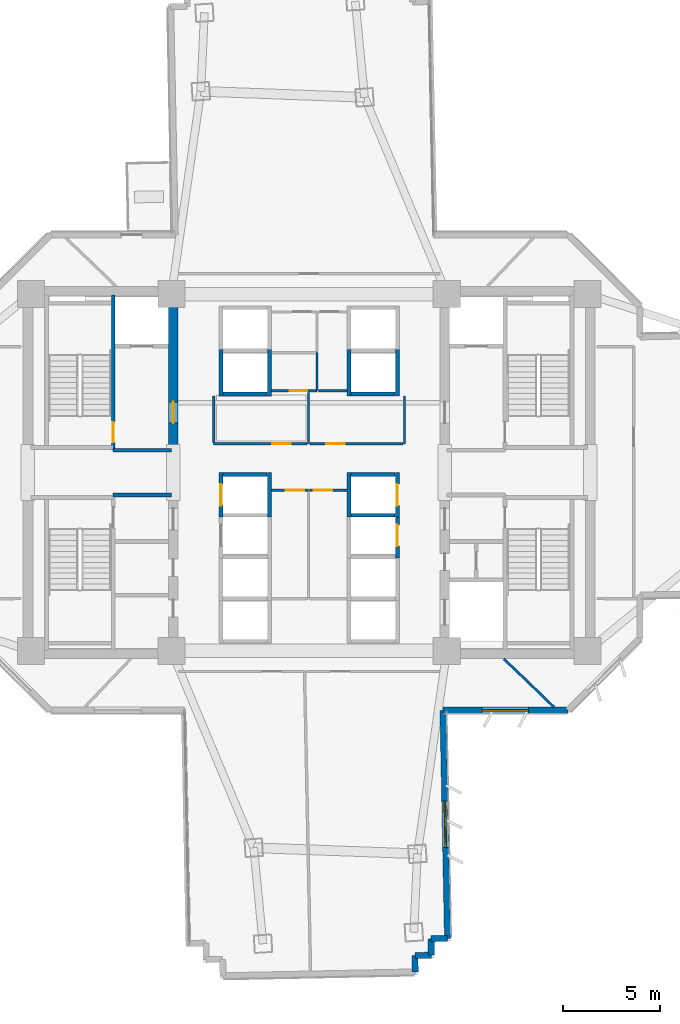
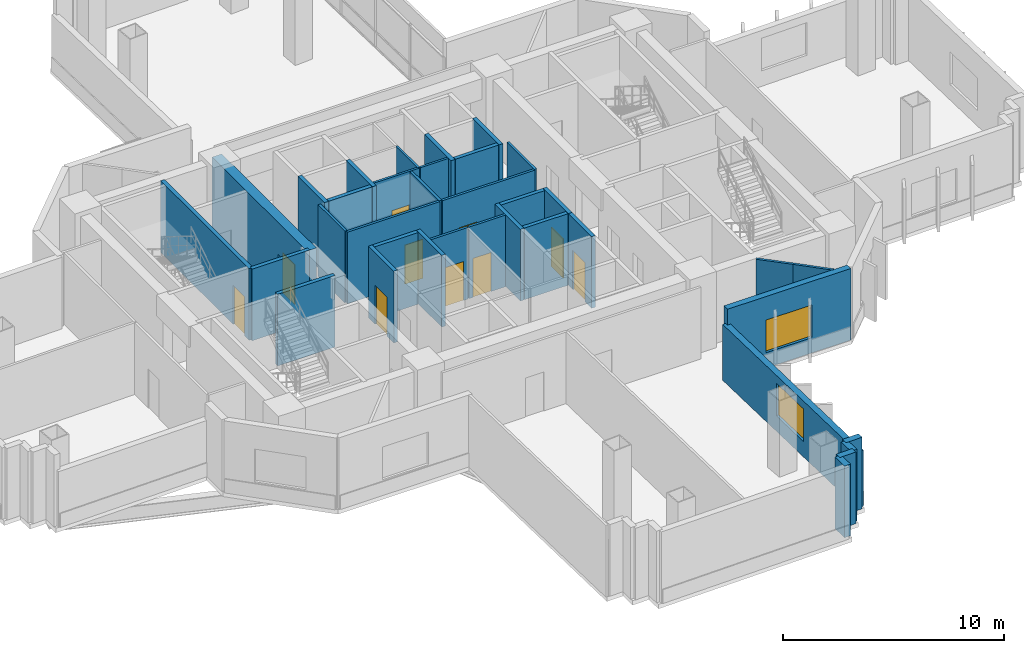
# One storey, part 7 of 15: 36 walls, 10 doors, 2 windows, 12 openings.
"""IFC4 building model written with IfcOpenShell, lengths in metres."""

from ifc_helpers import new_model, si_unit, direction, frame, frame_2d, origin, place, context, subcontext, project, spatial, rectangle, extrude, source, transform, mapped, material, layer, layer_set, type_object, element, fill, save


model = new_model("IFC4")

# Units and contexts
model_context = context("Model", 3, precision=1e-05, world=origin(), true_north=direction((0.0, 1.0)))
body_context = subcontext(model_context, "Body", "Model", "MODEL_VIEW")
ifc_project = project(units=[si_unit("LENGTHUNIT", "METRE"), si_unit("AREAUNIT", "SQUARE_METRE"), si_unit("VOLUMEUNIT", "CUBIC_METRE"), si_unit("PLANEANGLEUNIT", "RADIAN"), si_unit("MASSUNIT", "GRAM", prefix="KILO")], contexts=[model_context])

# Site, building, storey
site_placement = place(None, origin())
site = spatial("IfcSite", under=ifc_project, at=site_placement, CompositionType="ELEMENT")
building_placement = place(site_placement, origin())
building = spatial("IfcBuilding", under=site, at=building_placement, Name="Zahravan Cultural Tower", CompositionType="ELEMENT")
storey_placement = place(building_placement, frame((0.0, 0.0, 41.699951171875)))
storey = spatial("IfcBuildingStorey", under=building, at=storey_placement, Name="L08", CompositionType="ELEMENT", Elevation=41.699951171875)

# Wall, opening, door
ifc_material_1 = material(Name="Concrete C60/75", Category="concrete")
ifc_layer_1 = layer(ifc_material_1, 0.5)
ifc_layer_set_1 = layer_set([ifc_layer_1], Name="Concrete C60/75")
wall_type_1 = type_object("IfcWallType", Name="CW-SHEAR-500-C60", PredefinedType="SHEAR", material=ifc_layer_set_1)
wall_1_placement = place(storey_placement, frame((29.0, 28.050048828125, 0.0), z_axis=(0.0, 0.0, 1.0), x_axis=(0.0, 1.0, 0.0)))
wall_1 = element("IfcWall", 1, at=wall_1_placement, inside=storey, type_object=wall_type_1, Name="L08 Core Shear Wall CW-W-EN-L08", PredefinedType="SHEAR", context=body_context, shape_type="SweptSolid", body=[
    extrude(rectangle(XDim=8.550048828125, YDim=0.5, at=frame_2d((4.27490234375, 0.0))), origin(), (0.0, 0.0, 1.0), 3.949951171875),
])
opening_1_placement = place(wall_1_placement, frame((1.5, 0.0, 0.0)))
opening_1 = element("IfcOpeningElement", 2, at=opening_1_placement, cuts=wall_1, Name="Opening D-L08-05", PredefinedType="OPENING", context=body_context, shape_type="SweptSolid", body=[
    extrude(rectangle(XDim=1.10009765625, YDim=2.199951171875, at=frame_2d((0.550048828125, 1.10009765625))), frame((0.0, 0.260009765625, 0.0), z_axis=(0.0, -1.0, 0.0), x_axis=(1.0, 0.0, 0.0)), (0.0, 0.0, 1.0), 0.52001953125),
])
ifc_material_2 = material(Name="Steel ASTM A572 Grade 50", Category="steel")
door_type_1 = type_object("IfcDoorType", Name="DR-LOBBY-1100", OperationType="NOTDEFINED", PredefinedType="DOOR", material=ifc_material_2)
shared_shape_1 = source(origin(), body_context, "Body", "SweptSolid", [
    extrude(rectangle(XDim=1.10009765625, YDim=2.199951171875, at=frame_2d((0.550048828125, 1.10009765625))), frame((0.0, 0.02490234375, 0.0), z_axis=(0.0, -1.0, 0.0), x_axis=(1.0, 0.0, 0.0)), (0.0, 0.0, 1.0), 0.050048828125),
])
door_1_placement = place(opening_1_placement, origin())
door_1 = element("IfcDoor", 3, at=door_1_placement, inside=storey, type_object=door_type_1, Name="L08 Door D-L08-05", OperationType="SINGLE_SWING_RIGHT", OverallHeight=2.199951171875, OverallWidth=1.10009765625, PredefinedType="DOOR", context=body_context, shape_type="MappedRepresentation", body=[
    mapped(shared_shape_1, transform((0.0, 0.0, 0.0), x_axis=(1.0, 0.0, 0.0), y_axis=(0.0, 1.0, 0.0), z_axis=(0.0, 0.0, 1.0), scale=1.0)),
])
fill(opening_1, door_1)

# Wall, opening, window
ifc_material_3 = material(Name="Precast concrete C40/50", Category="concrete")
ifc_layer_2 = layer(ifc_material_3, 0.320068359375)
ifc_layer_set_2 = layer_set([ifc_layer_2], Name="Precast concrete C40/50")
wall_type_2 = type_object("IfcWallType", Name="EW-TC-320", PredefinedType="SOLIDWALL", material=ifc_layer_set_2)
wall_2_placement = place(storey_placement, frame((49.342041015625, 14.739990234375, 0.0), z_axis=(0.0, 0.0, 1.0), x_axis=(-1.0, 0.0, 0.0)))
wall_2 = element("IfcWall", 4, at=wall_2_placement, inside=storey, type_object=wall_type_2, Name="L08 Exterior Masonry Frame Wall 14", PredefinedType="SOLIDWALL", context=body_context, shape_type="SweptSolid", body=[
    extrude(rectangle(XDim=6.436767578125, YDim=0.320068359375, at=frame_2d((3.21826171875, 0.0))), origin(), (0.0, 0.0, 1.0), 3.949951171875),
])
opening_2_placement = place(wall_2_placement, frame((2.01806640625, 0.0, 0.85009765625)))
opening_2 = element("IfcOpeningElement", 5, at=opening_2_placement, cuts=wall_2, Name="Opening WN-01", PredefinedType="OPENING", context=body_context, shape_type="SweptSolid", body=[
    extrude(rectangle(XDim=2.39990234375, YDim=1.800048828125, at=frame_2d((1.199951171875, 0.89990234375))), frame((0.0, 0.169921875, 0.0), z_axis=(0.0, -1.0, 0.0), x_axis=(1.0, 0.0, 0.0)), (0.0, 0.0, 1.0), 0.340087890625),
])
ifc_material_4 = material(Name="Low-E solar-control double glazing", Category="glass")
window_type = type_object("IfcWindowType", Name="WN-REC-2400X1800", PartitioningType="DOUBLE_PANEL_VERTICAL", PredefinedType="WINDOW", material=ifc_material_4)
shared_shape_2 = source(origin(), body_context, "Body", "SweptSolid", [
    extrude(rectangle(XDim=2.39990234375, YDim=1.800048828125, at=frame_2d((1.199951171875, 0.89990234375))), frame((0.0, 0.030029296875, 0.0), z_axis=(0.0, -1.0, 0.0), x_axis=(1.0, 0.0, 0.0)), (0.0, 0.0, 1.0), 0.06005859375),
])
window_1_placement = place(opening_2_placement, origin())
window_1 = element("IfcWindow", 6, at=window_1_placement, inside=storey, type_object=window_type, Name="L08 Recessed Solar Window 05", OverallHeight=1.800048828125, OverallWidth=2.39990234375, PartitioningType="DOUBLE_PANEL_VERTICAL", PredefinedType="WINDOW", context=body_context, shape_type="MappedRepresentation", body=[
    mapped(shared_shape_2, transform((0.0, 0.0, 0.0), x_axis=(1.0, 0.0, 0.0), y_axis=(0.0, 1.0, 0.0), z_axis=(0.0, 0.0, 1.0), scale=1.0)),
])
fill(opening_2, window_1)

wall_3_placement = place(storey_placement, frame((42.9052734375, 14.739990234375, 0.0), z_axis=(0.0, 0.0, 1.0), x_axis=(0.019900582882, -0.999801963791, 0.0)))
wall_3 = element("IfcWall", 7, at=wall_3_placement, inside=storey, type_object=wall_type_2, Name="L08 Exterior Masonry Frame Wall 15", PredefinedType="SOLIDWALL", context=body_context, shape_type="SweptSolid", body=[
    extrude(rectangle(XDim=11.76513671875, YDim=0.320068359375, at=frame_2d((5.882568359375, 0.0))), origin(), (0.0, 0.0, 1.0), 3.080078125),
])
opening_3_placement = place(wall_3_placement, frame((4.68310546875, 0.0, 0.85009765625)))
opening_3 = element("IfcOpeningElement", 8, at=opening_3_placement, cuts=wall_3, Name="Opening WN-01", PredefinedType="OPENING", context=body_context, shape_type="SweptSolid", body=[
    extrude(rectangle(XDim=2.39990234375, YDim=1.800048828125, at=frame_2d((1.199951171875, 0.89990234375))), frame((0.0, 0.169921875, 0.0), z_axis=(0.0, -1.0, 0.0), x_axis=(1.0, 0.0, 0.0)), (0.0, 0.0, 1.0), 0.340087890625),
])
window_2_placement = place(opening_3_placement, origin())
window_2 = element("IfcWindow", 9, at=window_2_placement, inside=storey, type_object=window_type, Name="L08 Recessed Solar Window 06", OverallHeight=1.800048828125, OverallWidth=2.39990234375, PartitioningType="DOUBLE_PANEL_VERTICAL", PredefinedType="WINDOW", context=body_context, shape_type="MappedRepresentation", body=[
    mapped(shared_shape_2, transform((0.0, 0.0, 0.0), x_axis=(1.0, 0.0, 0.0), y_axis=(0.0, 1.0, 0.0), z_axis=(0.0, 0.0, 1.0), scale=1.0)),
])
fill(opening_3, window_2)

# Wall, opening, door
ifc_material_5 = material(Name="Gypsum plasterboard partition")
ifc_layer_3 = layer(ifc_material_5, 0.125)
ifc_layer_set_3 = layer_set([ifc_layer_3], Name="Gypsum plasterboard partition")
wall_type_3 = type_object("IfcWallType", Name="W-PART-125", PredefinedType="PARTITIONING", material=ifc_layer_set_3)
wall_4_placement = place(storey_placement, frame((34.054931640625, 26.080078125, 0.0), z_axis=(0.0, 0.0, 1.0), x_axis=(1.0, 0.0, 0.0)))
wall_4 = element("IfcWall", 10, at=wall_4_placement, inside=storey, type_object=wall_type_3, Name="L08 Interior Wall 075", PredefinedType="PARTITIONING", context=body_context, shape_type="SweptSolid", body=[
    extrude(rectangle(XDim=1.9150390625, YDim=0.125, at=frame_2d((0.95751953125, 0.0))), origin(), (0.0, 0.0, 1.0), 3.949951171875),
])
opening_4_placement = place(wall_4_placement, frame((0.752685546875, 0.0, 0.0)))
opening_4 = element("IfcOpeningElement", 11, at=opening_4_placement, cuts=wall_4, Name="Opening D-L08-15", PredefinedType="OPENING", context=body_context, shape_type="SweptSolid", body=[
    extrude(rectangle(XDim=0.949951171875, YDim=2.14990234375, at=frame_2d((0.47509765625, 1.074951171875))), frame((0.0, 0.072509765625, 0.0), z_axis=(0.0, -1.0, 0.0), x_axis=(1.0, 0.0, 0.0)), (0.0, 0.0, 1.0), 0.14501953125),
])
ifc_material_6 = material(Name="Anodised bronze-aluminium mullion", Category="aluminium")
door_type_2 = type_object("IfcDoorType", Name="DR-ROOM-950", OperationType="NOTDEFINED", PredefinedType="DOOR", material=ifc_material_6)
shared_shape_3 = source(origin(), body_context, "Body", "SweptSolid", [
    extrude(rectangle(XDim=0.949951171875, YDim=2.14990234375, at=frame_2d((0.47509765625, 1.074951171875))), frame((0.0, 0.02490234375, 0.0), z_axis=(0.0, -1.0, 0.0), x_axis=(1.0, 0.0, 0.0)), (0.0, 0.0, 1.0), 0.050048828125),
])
door_2_placement = place(opening_4_placement, origin())
door_2 = element("IfcDoor", 12, at=door_2_placement, inside=storey, type_object=door_type_2, Name="L08 Door D-L08-15", OperationType="SINGLE_SWING_RIGHT", OverallHeight=2.14990234375, OverallWidth=0.949951171875, PredefinedType="DOOR", context=body_context, shape_type="MappedRepresentation", body=[
    mapped(shared_shape_3, transform((0.0, 0.0, 0.0), x_axis=(1.0, 0.0, 0.0), y_axis=(0.0, 1.0, 0.0), z_axis=(0.0, 0.0, 1.0), scale=1.0)),
])
fill(opening_4, door_2)

wall_5_placement = place(storey_placement, frame((36.030029296875, 26.080078125, 0.0), z_axis=(0.0, 0.0, 1.0), x_axis=(1.0, 0.0, 0.0)))
wall_5 = element("IfcWall", 13, at=wall_5_placement, inside=storey, type_object=wall_type_3, Name="L08 Interior Wall 078", PredefinedType="PARTITIONING", context=body_context, shape_type="SweptSolid", body=[
    extrude(rectangle(XDim=1.9150390625, YDim=0.125, at=frame_2d((0.95751953125, 0.0))), origin(), (0.0, 0.0, 1.0), 3.949951171875),
])
opening_5_placement = place(wall_5_placement, frame((0.21240234375, 0.0, 0.0)))
opening_5 = element("IfcOpeningElement", 14, at=opening_5_placement, cuts=wall_5, Name="Opening D-L08-16", PredefinedType="OPENING", context=body_context, shape_type="SweptSolid", body=[
    extrude(rectangle(XDim=0.949951171875, YDim=2.14990234375, at=frame_2d((0.47509765625, 1.074951171875))), frame((0.0, 0.072509765625, 0.0), z_axis=(0.0, -1.0, 0.0), x_axis=(1.0, 0.0, 0.0)), (0.0, 0.0, 1.0), 0.14501953125),
])
door_3_placement = place(opening_5_placement, origin())
door_3 = element("IfcDoor", 15, at=door_3_placement, inside=storey, type_object=door_type_2, Name="L08 Door D-L08-16", OperationType="SINGLE_SWING_LEFT", OverallHeight=2.14990234375, OverallWidth=0.949951171875, PredefinedType="DOOR", context=body_context, shape_type="MappedRepresentation", body=[
    mapped(shared_shape_3, transform((0.0, 0.0, 0.0), x_axis=(1.0, 0.0, 0.0), y_axis=(0.0, 1.0, 0.0), z_axis=(0.0, 0.0, 1.0), scale=1.0)),
])
fill(opening_5, door_3)

wall_6_placement = place(storey_placement, frame((35.902587890625, 28.47998046875, 0.0), z_axis=(0.0, 0.0, 1.0), x_axis=(-1.0, 0.0, 0.0)))
wall_6 = element("IfcWall", 16, at=wall_6_placement, inside=storey, type_object=wall_type_3, Name="L08 Interior Wall 081", PredefinedType="PARTITIONING", context=body_context, shape_type="SweptSolid", body=[
    extrude(rectangle(XDim=4.822509765625, YDim=0.125, at=frame_2d((2.4111328125, 0.0))), origin(), (0.0, 0.0, 1.0), 3.949951171875),
])
opening_6_placement = place(wall_6_placement, frame((0.85205078125, 0.0, 0.0)))
opening_6 = element("IfcOpeningElement", 17, at=opening_6_placement, cuts=wall_6, Name="Opening D-L08-17", PredefinedType="OPENING", context=body_context, shape_type="SweptSolid", body=[
    extrude(rectangle(XDim=0.949951171875, YDim=2.14990234375, at=frame_2d((0.47509765625, 1.074951171875))), frame((0.0, 0.072509765625, 0.0), z_axis=(0.0, -1.0, 0.0), x_axis=(1.0, 0.0, 0.0)), (0.0, 0.0, 1.0), 0.14501953125),
])
door_4_placement = place(opening_6_placement, origin())
door_4 = element("IfcDoor", 18, at=door_4_placement, inside=storey, type_object=door_type_2, Name="L08 Door D-L08-17", OperationType="SINGLE_SWING_RIGHT", OverallHeight=2.14990234375, OverallWidth=0.949951171875, PredefinedType="DOOR", context=body_context, shape_type="MappedRepresentation", body=[
    mapped(shared_shape_3, transform((0.0, 0.0, 0.0), x_axis=(1.0, 0.0, 0.0), y_axis=(0.0, 1.0, 0.0), z_axis=(0.0, 0.0, 1.0), scale=1.0)),
])
fill(opening_6, door_4)

wall_7_placement = place(storey_placement, frame((40.8525390625, 28.47998046875, 0.0), z_axis=(0.0, 0.0, 1.0), x_axis=(-1.0, 0.0, 0.0)))
wall_7 = element("IfcWall", 19, at=wall_7_placement, inside=storey, type_object=wall_type_3, Name="L08 Interior Wall 084", PredefinedType="PARTITIONING", context=body_context, shape_type="SweptSolid", body=[
    extrude(rectangle(XDim=4.81494140625, YDim=0.125, at=frame_2d((2.407470703125, 0.0))), origin(), (0.0, 0.0, 1.0), 3.949951171875),
])
opening_7_placement = place(wall_7_placement, frame((3.0146484375, 0.0, 0.0)))
opening_7 = element("IfcOpeningElement", 20, at=opening_7_placement, cuts=wall_7, Name="Opening D-L08-18", PredefinedType="OPENING", context=body_context, shape_type="SweptSolid", body=[
    extrude(rectangle(XDim=0.949951171875, YDim=2.14990234375, at=frame_2d((0.47509765625, 1.074951171875))), frame((0.0, 0.072509765625, 0.0), z_axis=(0.0, -1.0, 0.0), x_axis=(1.0, 0.0, 0.0)), (0.0, 0.0, 1.0), 0.14501953125),
])
door_5_placement = place(opening_7_placement, origin())
door_5 = element("IfcDoor", 21, at=door_5_placement, inside=storey, type_object=door_type_2, Name="L08 Door D-L08-18", OperationType="SINGLE_SWING_LEFT", OverallHeight=2.14990234375, OverallWidth=0.949951171875, PredefinedType="DOOR", context=body_context, shape_type="MappedRepresentation", body=[
    mapped(shared_shape_3, transform((0.0, 0.0, 0.0), x_axis=(1.0, 0.0, 0.0), y_axis=(0.0, 1.0, 0.0), z_axis=(0.0, 0.0, 1.0), scale=1.0)),
])
fill(opening_7, door_5)

ifc_material_7 = material(Name="Concrete C45/55", Category="concrete")
ifc_layer_4 = layer(ifc_material_7, 0.199951171875)
ifc_layer_set_4 = layer_set([ifc_layer_4], Name="Concrete C45/55")
wall_type_4 = type_object("IfcWallType", Name="W-SHAFT-200", PredefinedType="SOLIDWALL", material=ifc_layer_set_4)
wall_8_placement = place(storey_placement, frame((25.89990234375, 28.14990234375, 0.0), z_axis=(0.0, 0.0, 1.0), x_axis=(0.0, 1.0, 0.0)))
wall_8 = element("IfcWall", 22, at=wall_8_placement, inside=storey, type_object=wall_type_4, Name="L08 Interior Wall 006", PredefinedType="SOLIDWALL", context=body_context, shape_type="SweptSolid", body=[
    extrude(rectangle(XDim=8.0, YDim=0.199951171875, at=frame_2d((4.0, 0.0))), origin(), (0.0, 0.0, 1.0), 3.949951171875),
])
opening_8_placement = place(wall_8_placement, frame((0.39990234375, 0.0, 0.0)))
opening_8 = element("IfcOpeningElement", 23, at=opening_8_placement, cuts=wall_8, Name="Opening D-L08-01", PredefinedType="OPENING", context=body_context, shape_type="SweptSolid", body=[
    extrude(rectangle(XDim=1.050048828125, YDim=2.14990234375, at=frame_2d((0.52490234375, 1.074951171875))), frame((0.0, 0.10986328125, 0.0), z_axis=(0.0, -1.0, 0.0), x_axis=(1.0, 0.0, 0.0)), (0.0, 0.0, 1.0), 0.219970703125),
])
door_type_3 = type_object("IfcDoorType", Name="DR-STAIR-1050", OperationType="NOTDEFINED", PredefinedType="DOOR", material=ifc_material_2)
shared_shape_4 = source(origin(), body_context, "Body", "SweptSolid", [
    extrude(rectangle(XDim=1.050048828125, YDim=2.14990234375, at=frame_2d((0.52490234375, 1.074951171875))), frame((0.0, 0.02490234375, 0.0), z_axis=(0.0, -1.0, 0.0), x_axis=(1.0, 0.0, 0.0)), (0.0, 0.0, 1.0), 0.050048828125),
])
door_6_placement = place(opening_8_placement, origin())
door_6 = element("IfcDoor", 24, at=door_6_placement, inside=storey, type_object=door_type_3, Name="L08 Door D-L08-01", OperationType="SINGLE_SWING_RIGHT", OverallHeight=2.14990234375, OverallWidth=1.050048828125, PredefinedType="DOOR", context=body_context, shape_type="MappedRepresentation", body=[
    mapped(shared_shape_4, transform((0.0, 0.0, 0.0), x_axis=(1.0, 0.0, 0.0), y_axis=(0.0, 1.0, 0.0), z_axis=(0.0, 0.0, 1.0), scale=1.0)),
])
fill(opening_8, door_6)

wall_9_placement = place(storey_placement, frame((31.449951171875, 24.699951171875, 0.0), z_axis=(0.0, 0.0, 1.0), x_axis=(0.0, 1.0, 0.0)))
wall_9 = element("IfcWall", 25, at=wall_9_placement, inside=storey, type_object=wall_type_4, Name="L08 Interior Wall 056", PredefinedType="SOLIDWALL", context=body_context, shape_type="SweptSolid", body=[
    extrude(rectangle(XDim=2.300048828125, YDim=0.199951171875, at=frame_2d((1.14990234375, 0.0))), origin(), (0.0, 0.0, 1.0), 3.949951171875),
])
opening_9_placement = place(wall_9_placement, frame((0.60009765625, 0.0, 0.0)))
opening_9 = element("IfcOpeningElement", 26, at=opening_9_placement, cuts=wall_9, Name="Opening LD-L08-04", PredefinedType="OPENING", context=body_context, shape_type="SweptSolid", body=[
    extrude(rectangle(XDim=1.10009765625, YDim=2.14990234375, at=frame_2d((0.550048828125, 1.074951171875))), frame((0.0, 0.10986328125, 0.0), z_axis=(0.0, -1.0, 0.0), x_axis=(1.0, 0.0, 0.0)), (0.0, 0.0, 1.0), 0.219970703125),
])
door_type_4 = type_object("IfcDoorType", Name="DR-LIFT-1100", OperationType="DOUBLE_DOOR_SLIDING", PredefinedType="DOOR", material=ifc_material_2)
shared_shape_5 = source(origin(), body_context, "Body", "SweptSolid", [
    extrude(rectangle(XDim=1.10009765625, YDim=2.14990234375, at=frame_2d((0.550048828125, 1.074951171875))), frame((0.0, 0.02490234375, 0.0), z_axis=(0.0, -1.0, 0.0), x_axis=(1.0, 0.0, 0.0)), (0.0, 0.0, 1.0), 0.050048828125),
])
door_7_placement = place(opening_9_placement, origin())
door_7 = element("IfcDoor", 27, at=door_7_placement, inside=storey, type_object=door_type_4, Name="L08 Door LD-L08-04", OperationType="DOUBLE_DOOR_SLIDING", OverallHeight=2.14990234375, OverallWidth=1.10009765625, PredefinedType="DOOR", context=body_context, shape_type="MappedRepresentation", body=[
    mapped(shared_shape_5, transform((0.0, 0.0, 0.0), x_axis=(1.0, 0.0, 0.0), y_axis=(0.0, 1.0, 0.0), z_axis=(0.0, 0.0, 1.0), scale=1.0)),
])
fill(opening_9, door_7)

wall_10_placement = place(storey_placement, frame((40.550048828125, 24.699951171875, 0.0), z_axis=(0.0, 0.0, 1.0), x_axis=(0.0, 1.0, 0.0)))
wall_10 = element("IfcWall", 28, at=wall_10_placement, inside=storey, type_object=wall_type_4, Name="L08 Interior Wall 063", PredefinedType="SOLIDWALL", context=body_context, shape_type="SweptSolid", body=[
    extrude(rectangle(XDim=2.300048828125, YDim=0.199951171875, at=frame_2d((1.14990234375, 0.0))), origin(), (0.0, 0.0, 1.0), 3.949951171875),
])
opening_10_placement = place(wall_10_placement, frame((0.60009765625, 0.0, 0.0)))
opening_10 = element("IfcOpeningElement", 29, at=opening_10_placement, cuts=wall_10, Name="Opening LD-L08-06", PredefinedType="OPENING", context=body_context, shape_type="SweptSolid", body=[
    extrude(rectangle(XDim=1.10009765625, YDim=2.14990234375, at=frame_2d((0.550048828125, 1.074951171875))), frame((0.0, 0.10986328125, 0.0), z_axis=(0.0, -1.0, 0.0), x_axis=(1.0, 0.0, 0.0)), (0.0, 0.0, 1.0), 0.219970703125),
])
door_8_placement = place(opening_10_placement, origin())
door_8 = element("IfcDoor", 30, at=door_8_placement, inside=storey, type_object=door_type_4, Name="L08 Door LD-L08-06", OperationType="DOUBLE_DOOR_SLIDING", OverallHeight=2.14990234375, OverallWidth=1.10009765625, PredefinedType="DOOR", context=body_context, shape_type="MappedRepresentation", body=[
    mapped(shared_shape_5, transform((0.0, 0.0, 0.0), x_axis=(1.0, 0.0, 0.0), y_axis=(0.0, 1.0, 0.0), z_axis=(0.0, 0.0, 1.0), scale=1.0)),
])
fill(opening_10, door_8)

wall_11_placement = place(storey_placement, frame((40.550048828125, 22.60009765625, 0.0), z_axis=(0.0, 0.0, 1.0), x_axis=(0.0, 1.0, 0.0)))
wall_11 = element("IfcWall", 31, at=wall_11_placement, inside=storey, type_object=wall_type_4, Name="L08 Interior Wall 067", PredefinedType="SOLIDWALL", context=body_context, shape_type="SweptSolid", body=[
    extrude(rectangle(XDim=2.2998046875, YDim=0.199951171875, at=frame_2d((1.14990234375, 0.0))), origin(), (0.0, 0.0, 1.0), 3.949951171875),
])
opening_11_placement = place(wall_11_placement, frame((0.60009765625, 0.0, 0.0)))
opening_11 = element("IfcOpeningElement", 32, at=opening_11_placement, cuts=wall_11, Name="Opening LD-L08-07", PredefinedType="OPENING", context=body_context, shape_type="SweptSolid", body=[
    extrude(rectangle(XDim=1.10009765625, YDim=2.14990234375, at=frame_2d((0.550048828125, 1.074951171875))), frame((0.0, 0.10986328125, 0.0), z_axis=(0.0, -1.0, 0.0), x_axis=(1.0, 0.0, 0.0)), (0.0, 0.0, 1.0), 0.219970703125),
])
door_9_placement = place(opening_11_placement, origin())
door_9 = element("IfcDoor", 33, at=door_9_placement, inside=storey, type_object=door_type_4, Name="L08 Door LD-L08-07", OperationType="DOUBLE_DOOR_SLIDING", OverallHeight=2.14990234375, OverallWidth=1.10009765625, PredefinedType="DOOR", context=body_context, shape_type="MappedRepresentation", body=[
    mapped(shared_shape_5, transform((0.0, 0.0, 0.0), x_axis=(1.0, 0.0, 0.0), y_axis=(0.0, 1.0, 0.0), z_axis=(0.0, 0.0, 1.0), scale=1.0)),
])
fill(opening_11, door_9)

ifc_layer_5 = layer(ifc_material_5, 0.114990234375)
ifc_layer_set_5 = layer_set([ifc_layer_5], Name="Gypsum plasterboard partition")
wall_type_5 = type_object("IfcWallType", Name="W-WC-115", PredefinedType="PARTITIONING", material=ifc_layer_set_5)
wall_12_placement = place(storey_placement, frame((36.409912109375, 31.219970703125, 0.0), z_axis=(0.0, 0.0, 1.0), x_axis=(-1.0, 0.0, 0.0)))
wall_12 = element("IfcWall", 34, at=wall_12_placement, inside=storey, type_object=wall_type_5, Name="L08 Interior Wall 068", PredefinedType="PARTITIONING", context=body_context, shape_type="SweptSolid", body=[
    extrude(rectangle(XDim=2.35498046875, YDim=0.114990234375, at=frame_2d((1.177490234375, 0.0))), origin(), (0.0, 0.0, 1.0), 3.949951171875),
])
opening_12_placement = place(wall_12_placement, frame((0.5166015625, 0.0, 0.0)))
opening_12 = element("IfcOpeningElement", 35, at=opening_12_placement, cuts=wall_12, Name="Opening D-L08-25", PredefinedType="OPENING", context=body_context, shape_type="SweptSolid", body=[
    extrude(rectangle(XDim=0.89990234375, YDim=2.10009765625, at=frame_2d((0.449951171875, 1.050048828125))), frame((0.0, 0.0673828125, 0.0), z_axis=(0.0, -1.0, 0.0), x_axis=(1.0, 0.0, 0.0)), (0.0, 0.0, 1.0), 0.135009765625),
])
door_type_5 = type_object("IfcDoorType", Name="DR-WC-900", OperationType="NOTDEFINED", PredefinedType="DOOR", material=ifc_material_6)
shared_shape_6 = source(origin(), body_context, "Body", "SweptSolid", [
    extrude(rectangle(XDim=0.89990234375, YDim=2.10009765625, at=frame_2d((0.449951171875, 1.050048828125))), frame((0.0, 0.02490234375, 0.0), z_axis=(0.0, -1.0, 0.0), x_axis=(1.0, 0.0, 0.0)), (0.0, 0.0, 1.0), 0.050048828125),
])
door_10_placement = place(opening_12_placement, origin())
door_10 = element("IfcDoor", 36, at=door_10_placement, inside=storey, type_object=door_type_5, Name="L08 Door D-L08-25", OperationType="SINGLE_SWING_RIGHT", OverallHeight=2.10009765625, OverallWidth=0.89990234375, PredefinedType="DOOR", context=body_context, shape_type="MappedRepresentation", body=[
    mapped(shared_shape_6, transform((0.0, 0.0, 0.0), x_axis=(1.0, 0.0, 0.0), y_axis=(0.0, 1.0, 0.0), z_axis=(0.0, 0.0, 1.0), scale=1.0)),
])
fill(opening_12, door_10)

# Walls
shared_shape_7 = source(origin(), body_context, "Body", "SweptSolid", [
    extrude(rectangle(XDim=0.849853515625, YDim=0.320068359375, at=frame_2d((0.4248046875, 0.0))), origin(), (0.0, 0.0, 1.0), 3.949951171875),
])
wall_13_placement = place(storey_placement, frame((41.45654296875, 2.093505859375, 0.0), z_axis=(0.0, 0.0, 1.0), x_axis=(0.019823689915, -0.999803491351, 0.0)))
element("IfcWall", 37, at=wall_13_placement, inside=storey, type_object=wall_type_2, Name="L08 Exterior Masonry Frame Wall 19", PredefinedType="SOLIDWALL", context=body_context, shape_type="MappedRepresentation", body=[
    mapped(shared_shape_7, transform((0.0, 0.0, 0.0), x_axis=(1.0, 0.0, 0.0), y_axis=(0.0, 1.0, 0.0), z_axis=(0.0, 0.0, 1.0), scale=1.0)),
])
shared_shape_8 = source(origin(), body_context, "Body", "SweptSolid", [
    extrude(rectangle(XDim=0.85009765625, YDim=0.320068359375, at=frame_2d((0.425048828125, 0.0))), origin(), (0.0, 0.0, 1.0), 3.949951171875),
])
for number, where, z_axis, x_axis, name in (
    (38, (43.139404296875, 2.977294921875, 0.0), (0.0, 0.0, 1.0), (-0.999803604205, -0.019817997326, 0.0), "L08 Exterior Masonry Frame Wall 16"),
    (39, (42.28955078125, 2.96044921875, 0.0), (0.0, 0.0, 1.0), (0.019817997326, -0.999803604205, 0.0), "L08 Exterior Masonry Frame Wall 17"),
    (40, (42.306396484375, 2.110595703125, 0.0), (0.0, 0.0, 1.0), (-0.999797872061, -0.020105099409, 0.0), "L08 Exterior Masonry Frame Wall 18"),
):
    element("IfcWall", number, at=place(storey_placement, frame(where, z_axis=z_axis, x_axis=x_axis)), inside=storey, type_object=wall_type_2, Name=name, PredefinedType="SOLIDWALL", context=body_context, shape_type="MappedRepresentation", body=[
        mapped(shared_shape_8, transform((0.0, 0.0, 0.0), x_axis=(1.0, 0.0, 0.0), y_axis=(0.0, 1.0, 0.0), z_axis=(0.0, 0.0, 1.0), scale=1.0)),
    ])
shared_shape_9 = source(origin(), body_context, "Body", "SweptSolid", [
    extrude(rectangle(XDim=3.0, YDim=0.199951171875, at=frame_2d((1.5, 0.0))), origin(), (0.0, 0.0, 1.0), 3.949951171875),
])
for number, where, z_axis, x_axis, name in (
    (41, (25.89990234375, 25.85009765625, 0.0), (0.0, 0.0, 1.0), (1.0, 0.0, 0.0), "L08 Interior Wall 010"),
    (42, (25.89990234375, 28.14990234375, 0.0), (0.0, 0.0, 1.0), (1.0, 0.0, 0.0), "L08 Interior Wall 012"),
):
    element("IfcWall", number, at=place(storey_placement, frame(where, z_axis=z_axis, x_axis=x_axis)), inside=storey, type_object=wall_type_4, Name=name, PredefinedType="SOLIDWALL", context=body_context, shape_type="MappedRepresentation", body=[
        mapped(shared_shape_9, transform((0.0, 0.0, 0.0), x_axis=(1.0, 0.0, 0.0), y_axis=(0.0, 1.0, 0.0), z_axis=(0.0, 0.0, 1.0), scale=1.0)),
    ])
shared_shape_10 = source(origin(), body_context, "Body", "SweptSolid", [
    extrude(rectangle(XDim=2.400146484375, YDim=0.199951171875, at=frame_2d((1.2001953125, 0.0))), origin(), (0.0, 0.0, 1.0), 3.949951171875),
])
for number, where, z_axis, x_axis, name in (
    (43, (31.449951171875, 30.949951171875, 0.0), (0.0, 0.0, 1.0), (0.0, 1.0, 0.0), "L08 Interior Wall 032"),
    (44, (33.949951171875, 30.949951171875, 0.0), (0.0, 0.0, 1.0), (0.0, 1.0, 0.0), "L08 Interior Wall 033"),
    (45, (38.050048828125, 30.949951171875, 0.0), (0.0, 0.0, 1.0), (0.0, 1.0, 0.0), "L08 Interior Wall 039"),
    (46, (40.550048828125, 30.949951171875, 0.0), (0.0, 0.0, 1.0), (0.0, 1.0, 0.0), "L08 Interior Wall 040"),
):
    element("IfcWall", number, at=place(storey_placement, frame(where, z_axis=z_axis, x_axis=x_axis)), inside=storey, type_object=wall_type_4, Name=name, PredefinedType="SOLIDWALL", context=body_context, shape_type="MappedRepresentation", body=[
        mapped(shared_shape_10, transform((0.0, 0.0, 0.0), x_axis=(1.0, 0.0, 0.0), y_axis=(0.0, 1.0, 0.0), z_axis=(0.0, 0.0, 1.0), scale=1.0)),
    ])
shared_shape_11 = source(origin(), body_context, "Body", "SweptSolid", [
    extrude(rectangle(XDim=2.260009765625, YDim=0.199951171875, at=frame_2d((1.1298828125, 0.0))), origin(), (0.0, 0.0, 1.0), 3.949951171875),
])
for number, where, z_axis, x_axis, name in (
    (47, (31.570068359375, 31.050048828125, 0.0), (0.0, 0.0, 1.0), (1.0, 0.0, 0.0), "L08 Interior Wall 034"),
    (48, (38.169921875, 31.050048828125, 0.0), (0.0, 0.0, 1.0), (1.0, 0.0, 0.0), "L08 Interior Wall 041"),
    (49, (31.570068359375, 26.89990234375, 0.0), (0.0, 0.0, 1.0), (1.0, 0.0, 0.0), "L08 Interior Wall 059"),
    (50, (38.169921875, 24.800048828125, 0.0), (0.0, 0.0, 1.0), (1.0, 0.0, 0.0), "L08 Interior Wall 064"),
    (51, (38.169921875, 26.89990234375, 0.0), (0.0, 0.0, 1.0), (1.0, 0.0, 0.0), "L08 Interior Wall 065"),
):
    element("IfcWall", number, at=place(storey_placement, frame(where, z_axis=z_axis, x_axis=x_axis)), inside=storey, type_object=wall_type_4, Name=name, PredefinedType="SOLIDWALL", context=body_context, shape_type="MappedRepresentation", body=[
        mapped(shared_shape_11, transform((0.0, 0.0, 0.0), x_axis=(1.0, 0.0, 0.0), y_axis=(0.0, 1.0, 0.0), z_axis=(0.0, 0.0, 1.0), scale=1.0)),
    ])
shared_shape_12 = source(origin(), body_context, "Body", "SweptSolid", [
    extrude(rectangle(XDim=2.300048828125, YDim=0.199951171875, at=frame_2d((1.14990234375, 0.0))), origin(), (0.0, 0.0, 1.0), 3.949951171875),
])
for number, where, z_axis, x_axis, name in (
    (52, (33.949951171875, 24.699951171875, 0.0), (0.0, 0.0, 1.0), (0.0, 1.0, 0.0), "L08 Interior Wall 057"),
    (53, (38.050048828125, 24.699951171875, 0.0), (0.0, 0.0, 1.0), (0.0, 1.0, 0.0), "L08 Interior Wall 062"),
):
    element("IfcWall", number, at=place(storey_placement, frame(where, z_axis=z_axis, x_axis=x_axis)), inside=storey, type_object=wall_type_4, Name=name, PredefinedType="SOLIDWALL", context=body_context, shape_type="MappedRepresentation", body=[
        mapped(shared_shape_12, transform((0.0, 0.0, 0.0), x_axis=(1.0, 0.0, 0.0), y_axis=(0.0, 1.0, 0.0), z_axis=(0.0, 0.0, 1.0), scale=1.0)),
    ])
shared_shape_13 = source(origin(), body_context, "Body", "SweptSolid", [
    extrude(rectangle(XDim=1.9599609375, YDim=0.114990234375, at=frame_2d((0.97998046875, 0.0))), origin(), (0.0, 0.0, 1.0), 3.949951171875),
])
wall_14_placement = place(storey_placement, frame((36.409912109375, 33.179931640625, 0.0), z_axis=(0.0, 0.0, 1.0), x_axis=(0.0, -1.0, 0.0)))
element("IfcWall", 54, at=wall_14_placement, inside=storey, type_object=wall_type_5, Name="L08 Interior Wall 070", PredefinedType="PARTITIONING", context=body_context, shape_type="MappedRepresentation", body=[
    mapped(shared_shape_13, transform((0.0, 0.0, 0.0), x_axis=(1.0, 0.0, 0.0), y_axis=(0.0, 1.0, 0.0), z_axis=(0.0, 0.0, 1.0), scale=1.0)),
])
shared_shape_14 = source(origin(), body_context, "Body", "SweptSolid", [
    extrude(rectangle(XDim=1.47265625, YDim=0.114990234375, at=frame_2d((0.736328125, 0.0))), origin(), (0.0, 0.0, 1.0), 3.949951171875),
])
wall_15_placement = place(storey_placement, frame((37.945068359375, 31.219970703125, 0.0), z_axis=(0.0, 0.0, 1.0), x_axis=(-1.0, 0.0, 0.0)))
element("IfcWall", 55, at=wall_15_placement, inside=storey, type_object=wall_type_5, Name="L08 Interior Wall 073", PredefinedType="PARTITIONING", context=body_context, shape_type="MappedRepresentation", body=[
    mapped(shared_shape_14, transform((0.0, 0.0, 0.0), x_axis=(1.0, 0.0, 0.0), y_axis=(0.0, 1.0, 0.0), z_axis=(0.0, 0.0, 1.0), scale=1.0)),
])
shared_shape_15 = source(origin(), body_context, "Body", "SweptSolid", [
    extrude(rectangle(XDim=2.659912109375, YDim=0.125, at=frame_2d((1.330078125, 0.0))), origin(), (0.0, 0.0, 1.0), 3.949951171875),
])
wall_16_placement = place(storey_placement, frame((35.969970703125, 31.139892578125, 0.0), z_axis=(0.0, 0.0, 1.0), x_axis=(0.0, -1.0, 0.0)))
element("IfcWall", 56, at=wall_16_placement, inside=storey, type_object=wall_type_3, Name="L08 Interior Wall 080", PredefinedType="PARTITIONING", context=body_context, shape_type="MappedRepresentation", body=[
    mapped(shared_shape_15, transform((0.0, 0.0, 0.0), x_axis=(1.0, 0.0, 0.0), y_axis=(0.0, 1.0, 0.0), z_axis=(0.0, 0.0, 1.0), scale=1.0)),
])
shared_shape_16 = source(origin(), body_context, "Body", "SweptSolid", [
    extrude(rectangle(XDim=2.40234375, YDim=0.125, at=frame_2d((1.201171875, 0.0))), origin(), (0.0, 0.0, 1.0), 3.949951171875),
])
wall_17_placement = place(storey_placement, frame((31.080078125, 28.547607421875, 0.0), z_axis=(0.0, 0.0, 1.0), x_axis=(0.0, 1.0, 0.0)))
element("IfcWall", 57, at=wall_17_placement, inside=storey, type_object=wall_type_3, Name="L08 Interior Wall 082", PredefinedType="PARTITIONING", context=body_context, shape_type="MappedRepresentation", body=[
    mapped(shared_shape_16, transform((0.0, 0.0, 0.0), x_axis=(1.0, 0.0, 0.0), y_axis=(0.0, 1.0, 0.0), z_axis=(0.0, 0.0, 1.0), scale=1.0)),
])
shared_shape_17 = source(origin(), body_context, "Body", "SweptSolid", [
    extrude(rectangle(XDim=2.469970703125, YDim=0.125, at=frame_2d((1.23486328125, 0.0))), origin(), (0.0, 0.0, 1.0), 3.949951171875),
])
wall_18_placement = place(storey_placement, frame((40.919921875, 30.949951171875, 0.0), z_axis=(0.0, 0.0, 1.0), x_axis=(0.0, -1.0, 0.0)))
element("IfcWall", 58, at=wall_18_placement, inside=storey, type_object=wall_type_3, Name="L08 Interior Wall 083", PredefinedType="PARTITIONING", context=body_context, shape_type="MappedRepresentation", body=[
    mapped(shared_shape_17, transform((0.0, 0.0, 0.0), x_axis=(1.0, 0.0, 0.0), y_axis=(0.0, 1.0, 0.0), z_axis=(0.0, 0.0, 1.0), scale=1.0)),
])
shared_shape_18 = source(origin(), body_context, "Body", "SweptSolid", [
    extrude(rectangle(XDim=1.715087890625, YDim=0.125, at=frame_2d((0.857421875, 0.0))), origin(), (0.0, 0.0, 1.0), 3.949951171875),
])
wall_19_placement = place(storey_placement, frame((46.033935546875, 17.39501953125, 0.0), z_axis=(0.0, 0.0, 1.0), x_axis=(0.724259786069, -0.689527201989, 0.0)))
element("IfcWall", 59, at=wall_19_placement, inside=storey, type_object=wall_type_3, Name="L08 Interior Wall 097", PredefinedType="PARTITIONING", context=body_context, shape_type="MappedRepresentation", body=[
    mapped(shared_shape_18, transform((0.0, 0.0, 0.0), x_axis=(1.0, 0.0, 0.0), y_axis=(0.0, 1.0, 0.0), z_axis=(0.0, 0.0, 1.0), scale=1.0)),
])
shared_shape_19 = source(origin(), body_context, "Body", "SweptSolid", [
    extrude(rectangle(XDim=1.877685546875, YDim=0.125, at=frame_2d((0.93896484375, 0.0))), origin(), (0.0, 0.0, 1.0), 3.949951171875),
])
wall_20_placement = place(storey_placement, frame((47.276123046875, 16.21240234375, 0.0), z_axis=(0.0, 0.0, 1.0), x_axis=(0.717752688518, -0.696298124459, 0.0)))
element("IfcWall", 60, at=wall_20_placement, inside=storey, type_object=wall_type_3, Name="L08 Interior Wall 098", PredefinedType="PARTITIONING", context=body_context, shape_type="MappedRepresentation", body=[
    mapped(shared_shape_19, transform((0.0, 0.0, 0.0), x_axis=(1.0, 0.0, 0.0), y_axis=(0.0, 1.0, 0.0), z_axis=(0.0, 0.0, 1.0), scale=1.0)),
])

save(model, "model.ifc")
